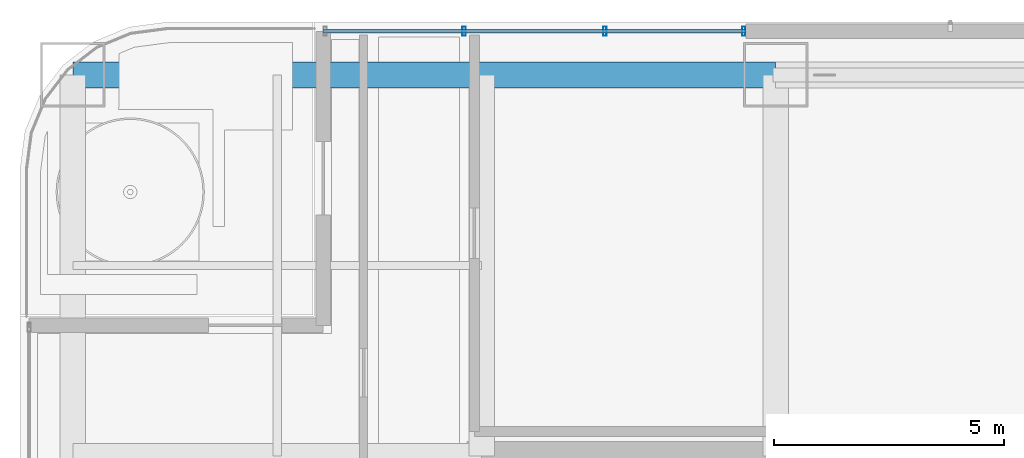
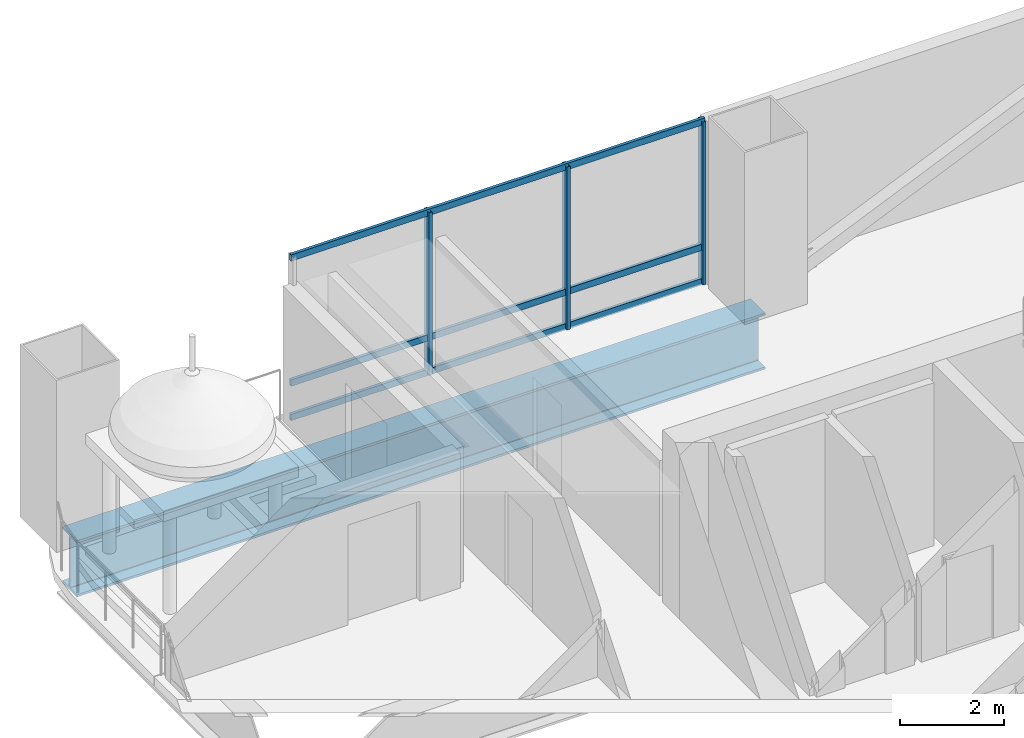
# One storey, part 20 of 41: 6 members, 1 beam, 1 element without a shape of its own.
"""IFC4 building model written with IfcOpenShell, lengths in metres."""

from ifc_helpers import new_model, si_unit, direction, frame, origin, origin_2d, place, context, subcontext, project, spatial, hollow_rectangle, i_section, extrude, material, material_profile, profile_set, type_object, element, aggregate, save


model = new_model("IFC4")

# Units and contexts
model_context = context("Model", 3, precision=1e-05, world=origin(), true_north=direction((0.0, 1.0)))
body_context = subcontext(model_context, "Body", "Model", "MODEL_VIEW")
ifc_project = project(units=[si_unit("LENGTHUNIT", "METRE"), si_unit("AREAUNIT", "SQUARE_METRE"), si_unit("VOLUMEUNIT", "CUBIC_METRE"), si_unit("PLANEANGLEUNIT", "RADIAN"), si_unit("MASSUNIT", "GRAM", prefix="KILO")], contexts=[model_context])

# Site, building, storey
site_placement = place(None, origin())
site = spatial("IfcSite", under=ifc_project, at=site_placement, CompositionType="ELEMENT")
building_placement = place(site_placement, origin())
building = spatial("IfcBuilding", under=site, at=building_placement, Name="Punatoya Terracotta Tower", CompositionType="ELEMENT")
storey_placement = place(building_placement, frame((0.0, 0.0, 220.800048828125)))
storey = spatial("IfcBuildingStorey", under=building, at=storey_placement, Name="L52", CompositionType="ELEMENT", Elevation=220.800048828125)

# Beam
ifc_material_1 = material(Name="Steel S460", Category="steel")
ifc_material_profile_1 = material_profile(ifc_material_1, i_section(OverallWidth=0.56005859375, OverallDepth=1.320068359375, WebThickness=0.035888671875, FlangeThickness=0.054931640625, FilletRadius=0.01806640625, at=origin_2d()))
ifc_profile_set_1 = profile_set([ifc_material_profile_1], Name="Steel S460")
beam_type = type_object("IfcBeamType", Name="BM-TG-BLK", PredefinedType="BEAM", material=ifc_profile_set_1)
beam_placement = place(storey_placement, frame((-19.10009765625, 17.5, -0.880126953125), z_axis=(1.0, 0.0, 0.0), x_axis=(0.0, 1.0, 0.0)))
element("IfcBeam", 1, at=beam_placement, inside=storey, type_object=beam_type, Name="BM-L52-RG-N1", PredefinedType="BEAM", context=body_context, shape_type="SweptSolid", body=[
    extrude(i_section(OverallWidth=0.56005859375, OverallDepth=1.320068359375, WebThickness=0.035888671875, FlangeThickness=0.054931640625, FilletRadius=0.01806640625, at=origin_2d()), origin(), (0.0, 0.0, 1.0), 15.300048828125),
])

# Curtain wall, members
ifc_material_2 = material(Name="Aluminium 6063-T6 + Double Low-E Glass", Category="aluminium")
curtain_wall_type = type_object("IfcCurtainWallType", Name="CW-M2", PredefinedType="NOTDEFINED", material=ifc_material_2)
curtain_wall_placement = place(storey_placement, origin())
curtain_wall = element("IfcCurtainWall", 2, at=curtain_wall_placement, inside=storey, type_object=curtain_wall_type, Name="L52 Curtain Wall CW-L52-N08-2", PredefinedType="NOTDEFINED")
ifc_material_3 = material(Name="Aluminium 6063-T6", Category="aluminium")
ifc_material_profile_2 = material_profile(ifc_material_3, hollow_rectangle(XDim=0.072021484375, YDim=0.195068359375, WallThickness=0.00439453125, at=origin_2d()))
ifc_profile_set_2 = profile_set([ifc_material_profile_2], Name="Aluminium 6063-T6")
member_type_1 = type_object("IfcMemberType", Name="CW-MUL-M2", PredefinedType="MULLION", material=ifc_profile_set_2)
member_1_placement = place(storey_placement, frame((-4.4951171875, 18.449951171875, 0.0), z_axis=(0.0, 0.0, 1.0), x_axis=(1.0, 0.0, 0.0)))
member_1 = element("IfcMember", 3, at=member_1_placement, type_object=member_type_1, Name="CW-L52-N08-2 Mullion 00", PredefinedType="MULLION", context=body_context, shape_type="SweptSolid", body=[
    extrude(hollow_rectangle(XDim=0.072021484375, YDim=0.195068359375, WallThickness=0.00439453125, at=origin_2d()), origin(), (0.0, 0.0, 1.0), 3.829833984375),
])
member_2_placement = place(storey_placement, frame((-7.5166015625, 18.449951171875, 0.0), z_axis=(0.0, 0.0, 1.0), x_axis=(1.0, 0.0, 0.0)))
member_2 = element("IfcMember", 4, at=member_2_placement, type_object=member_type_1, Name="CW-L52-N08-2 Mullion 01", PredefinedType="MULLION", context=body_context, shape_type="SweptSolid", body=[
    extrude(hollow_rectangle(XDim=0.072021484375, YDim=0.195068359375, WallThickness=0.00439453125, at=origin_2d()), origin(), (0.0, 0.0, 1.0), 3.829833984375),
])
member_3_placement = place(storey_placement, frame((-10.583251953125, 18.449951171875, 0.0), z_axis=(0.0, 0.0, 1.0), x_axis=(1.0, 0.0, 0.0)))
member_3 = element("IfcMember", 5, at=member_3_placement, type_object=member_type_1, Name="CW-L52-N08-2 Mullion 02", PredefinedType="MULLION", context=body_context, shape_type="SweptSolid", body=[
    extrude(hollow_rectangle(XDim=0.072021484375, YDim=0.195068359375, WallThickness=0.00439453125, at=origin_2d()), origin(), (0.0, 0.0, 1.0), 3.829833984375),
])
ifc_material_profile_3 = material_profile(ifc_material_3, hollow_rectangle(XDim=0.068115234375, YDim=0.14990234375, WallThickness=0.00390625, at=origin_2d()))
ifc_profile_set_3 = profile_set([ifc_material_profile_3], Name="Aluminium 6063-T6")
member_type_2 = type_object("IfcMemberType", Name="CW-TRN-TYP", PredefinedType="USERDEFINED", material=ifc_profile_set_3)
member_4_placement = place(storey_placement, frame((-4.449951171875, 18.449951171875, 0.0400390625), z_axis=(-1.0, 0.0, 0.0), x_axis=(0.0, -1.0, 0.0)))
member_4 = element("IfcMember", 6, at=member_4_placement, type_object=member_type_2, Name="CW-L52-N08-2 Transom 1", ObjectType="TRANSOM", PredefinedType="USERDEFINED", context=body_context, shape_type="SweptSolid", body=[
    extrude(hollow_rectangle(XDim=0.068115234375, YDim=0.14990234375, WallThickness=0.00390625, at=origin_2d()), origin(), (0.0, 0.0, 1.0), 9.199951171875),
])
member_5_placement = place(storey_placement, frame((-4.449951171875, 18.449951171875, 0.849853515625), z_axis=(-1.0, 0.0, 0.0), x_axis=(0.0, -1.0, 0.0)))
member_5 = element("IfcMember", 7, at=member_5_placement, type_object=member_type_2, Name="CW-L52-N08-2 Transom 2", ObjectType="TRANSOM", PredefinedType="USERDEFINED", context=body_context, shape_type="SweptSolid", body=[
    extrude(hollow_rectangle(XDim=0.068115234375, YDim=0.14990234375, WallThickness=0.00390625, at=origin_2d()), origin(), (0.0, 0.0, 1.0), 9.199951171875),
])
member_6_placement = place(storey_placement, frame((-4.449951171875, 18.449951171875, 3.7900390625), z_axis=(-1.0, 0.0, 0.0), x_axis=(0.0, -1.0, 0.0)))
member_6 = element("IfcMember", 8, at=member_6_placement, type_object=member_type_2, Name="CW-L52-N08-2 Transom 3", ObjectType="TRANSOM", PredefinedType="USERDEFINED", context=body_context, shape_type="SweptSolid", body=[
    extrude(hollow_rectangle(XDim=0.068115234375, YDim=0.14990234375, WallThickness=0.00390625, at=origin_2d()), origin(), (0.0, 0.0, 1.0), 9.199951171875),
])
aggregate(curtain_wall, [member_1, member_2, member_3, member_4, member_5, member_6])

save(model, "model.ifc")
